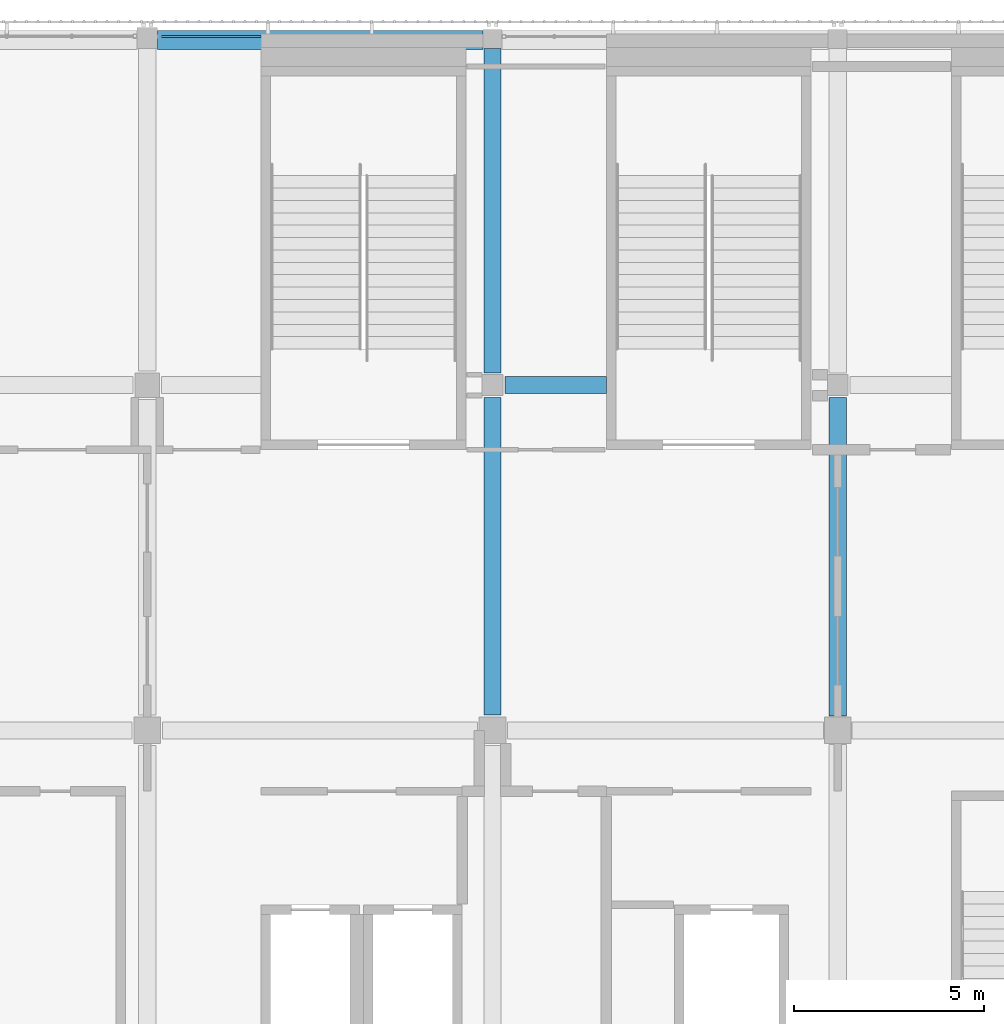
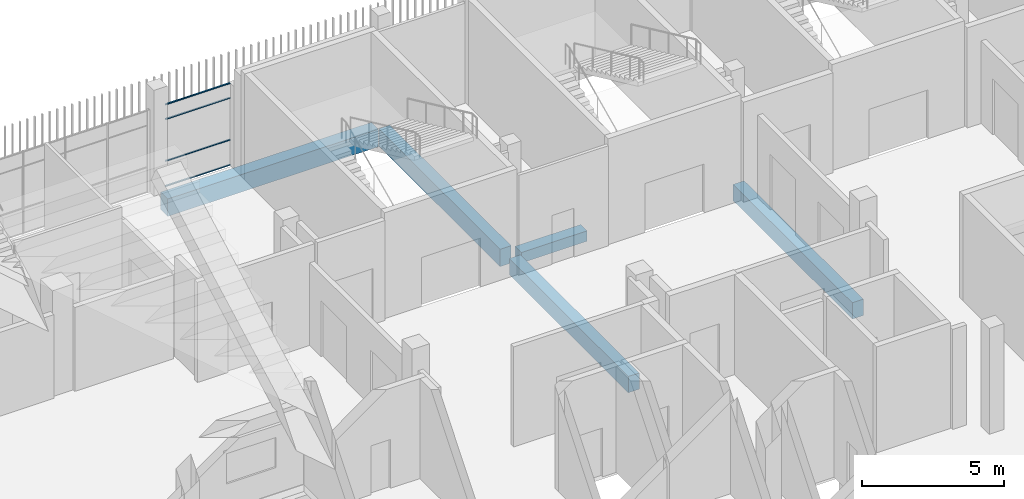
# One storey, part 52 of 139: 5 beams, 4 members, 1 element without a shape of its own.
"""IFC4 building model written with IfcOpenShell, lengths in metres."""

from ifc_helpers import new_model, si_unit, direction, frame, origin, origin_2d, place, context, subcontext, project, spatial, rectangle, hollow_rectangle, extrude, material, layer, layer_set, material_profile, profile_set, type_object, element, aggregate, save


model = new_model("IFC4")

# Units and contexts
model_context = context("Model", 3, precision=1e-05, world=origin(), true_north=direction((0.0, 1.0)))
body_context = subcontext(model_context, "Body", "Model", "MODEL_VIEW")
ifc_project = project(units=[si_unit("LENGTHUNIT", "METRE"), si_unit("AREAUNIT", "SQUARE_METRE"), si_unit("VOLUMEUNIT", "CUBIC_METRE"), si_unit("PLANEANGLEUNIT", "RADIAN"), si_unit("MASSUNIT", "GRAM", prefix="KILO")], contexts=[model_context])

# Site, building, storey
site_placement = place(None, origin())
site = spatial("IfcSite", under=ifc_project, at=site_placement, CompositionType="ELEMENT")
building_placement = place(site_placement, origin())
building = spatial("IfcBuilding", under=site, at=building_placement, Name="Shirokan Park Arena", CompositionType="ELEMENT")
storey_placement = place(building_placement, frame((0.0, 0.0, 15.469970703125)))
storey = spatial("IfcBuildingStorey", under=building, at=storey_placement, Name="L03", CompositionType="ELEMENT", Elevation=15.469970703125)

# Beams
ifc_material_1 = material(Name="Concrete C35", Category="concrete")
ifc_material_profile_1 = material_profile(ifc_material_1, rectangle(XDim=0.449951171875, YDim=0.699951171875, at=origin_2d()), Name="450x700")
ifc_profile_set_1 = profile_set([ifc_material_profile_1], Name="Concrete C35")
beam_type_1 = type_object("IfcBeamType", Name="RC girder 450x700", PredefinedType="BEAM", material=ifc_profile_set_1)
beam_1_placement = place(storey_placement, frame((118.300048828125, 91.400146484375, -0.64990234375), z_axis=(0.0, 1.0, 0.0), x_axis=(-1.0, 0.0, 0.0)))
element("IfcBeam", 1, at=beam_1_placement, inside=storey, type_object=beam_type_1, Name="Girder 14L-14M L03", PredefinedType="BEAM", context=body_context, shape_type="SweptSolid", body=[
    extrude(rectangle(XDim=0.449951171875, YDim=0.699951171875, at=origin_2d()), origin(), (0.0, 0.0, 1.0), 8.374755859375),
])
beam_2_placement = place(storey_placement, frame((127.39990234375, 91.375, -0.64990234375), z_axis=(0.0, 1.0, 0.0), x_axis=(-1.0, 0.0, 0.0)))
element("IfcBeam", 2, at=beam_2_placement, inside=storey, type_object=beam_type_1, Name="Girder 15L-15M L03", PredefinedType="BEAM", context=body_context, shape_type="SweptSolid", body=[
    extrude(rectangle(XDim=0.449951171875, YDim=0.699951171875, at=origin_2d()), origin(), (0.0, 0.0, 1.0), 8.39990234375),
])
ifc_material_profile_2 = material_profile(ifc_material_1, rectangle(XDim=0.449951171875, YDim=0.75, at=origin_2d()), Name="450x750")
ifc_profile_set_2 = profile_set([ifc_material_profile_2], Name="Concrete C35")
beam_type_2 = type_object("IfcBeamType", Name="RC girder 450x750", PredefinedType="BEAM", material=ifc_profile_set_2)
beam_3_placement = place(storey_placement, frame((118.300048828125, 100.425048828125, -0.675048828125), z_axis=(0.0, 1.0, 0.0), x_axis=(-1.0, 0.0, 0.0)))
element("IfcBeam", 3, at=beam_3_placement, inside=storey, type_object=beam_type_2, Name="Girder 14M-14N L03", PredefinedType="BEAM", context=body_context, shape_type="SweptSolid", body=[
    extrude(rectangle(XDim=0.449951171875, YDim=0.75, at=origin_2d()), origin(), (0.0, 0.0, 1.0), 8.5498046875),
])
ifc_material_profile_3 = material_profile(ifc_material_1, rectangle(XDim=0.5, YDim=0.75, at=origin_2d()), Name="500x750")
ifc_profile_set_3 = profile_set([ifc_material_profile_3], Name="Concrete C35")
beam_type_3 = type_object("IfcBeamType", Name="RC girder 500x750", PredefinedType="BEAM", material=ifc_profile_set_3)
beam_4_placement = place(storey_placement, frame((109.47509765625, 109.199951171875, -0.675048828125), z_axis=(1.0, 0.0, 0.0), x_axis=(0.0, 1.0, 0.0)))
element("IfcBeam", 4, at=beam_4_placement, inside=storey, type_object=beam_type_3, Name="Girder 13N-14N L03", PredefinedType="BEAM", context=body_context, shape_type="SweptSolid", body=[
    extrude(rectangle(XDim=0.5, YDim=0.75, at=origin_2d()), origin(), (0.0, 0.0, 1.0), 8.57470703125),
])
ifc_material_profile_4 = material_profile(ifc_material_1, rectangle(XDim=0.449951171875, YDim=0.449951171875, at=origin_2d()), Name="450x450")
ifc_profile_set_4 = profile_set([ifc_material_profile_4], Name="Concrete C35")
beam_type_4 = type_object("IfcBeamType", Name="RC trimmer 450x450", PredefinedType="BEAM", material=ifc_profile_set_4)
beam_5_placement = place(storey_placement, frame((118.625, 100.10009765625, -0.52490234375), z_axis=(1.0, 0.0, 0.0), x_axis=(0.0, 1.0, 0.0)))
element("IfcBeam", 5, at=beam_5_placement, inside=storey, type_object=beam_type_4, Name="Girder 14M-15M L03", PredefinedType="BEAM", context=body_context, shape_type="SweptSolid", body=[
    extrude(rectangle(XDim=0.449951171875, YDim=0.449951171875, at=origin_2d()), origin(), (0.0, 0.0, 1.0), 2.675048828125),
])

# Curtain wall, members
ifc_material_2 = material(Name="Steel and glass curtain wall", Category="steel")
ifc_layer = layer(ifc_material_2, 0.1201171875)
ifc_layer_set = layer_set([ifc_layer], Name="Steel and glass curtain wall 120 mm")
curtain_wall_type = type_object("IfcCurtainWallType", Name="Curtain wall corner block side bay 120", PredefinedType="NOTDEFINED", material=ifc_layer_set)
curtain_wall_placement = place(storey_placement, origin())
curtain_wall = element("IfcCurtainWall", 6, at=curtain_wall_placement, inside=storey, type_object=curtain_wall_type, Name="Curtain wall north bay 4 L03", PredefinedType="NOTDEFINED")
ifc_material_3 = material(Name="Steel S355", Category="steel")
ifc_material_profile_5 = material_profile(ifc_material_3, hollow_rectangle(XDim=0.06005859375, YDim=0.0400390625, WallThickness=0.00390625, at=origin_2d()), Name="RHS 60x40x4")
ifc_profile_set_5 = profile_set([ifc_material_profile_5], Name="Steel S355")
member_type = type_object("IfcMemberType", Name="Transom RHS 60x40x4", PredefinedType="MULLION", material=ifc_profile_set_5)
member_1_placement = place(storey_placement, frame((112.199951171875, 109.2900390625, 0.02001953125), z_axis=(-1.0, 0.0, 0.0), x_axis=(0.0, -1.0, 0.0)))
member_1 = element("IfcMember", 7, at=member_1_placement, type_object=member_type, Name="CW3 transom 1.1", PredefinedType="MULLION", context=body_context, shape_type="SweptSolid", body=[
    extrude(hollow_rectangle(XDim=0.06005859375, YDim=0.0400390625, WallThickness=0.00390625, at=origin_2d()), origin(), (0.0, 0.0, 1.0), 2.625),
])
member_2_placement = place(storey_placement, frame((112.199951171875, 109.2900390625, 1.10009765625), z_axis=(-1.0, 0.0, 0.0), x_axis=(0.0, -1.0, 0.0)))
member_2 = element("IfcMember", 8, at=member_2_placement, type_object=member_type, Name="CW3 transom 1.2", PredefinedType="MULLION", context=body_context, shape_type="SweptSolid", body=[
    extrude(hollow_rectangle(XDim=0.06005859375, YDim=0.0400390625, WallThickness=0.00390625, at=origin_2d()), origin(), (0.0, 0.0, 1.0), 2.625),
])
member_3_placement = place(storey_placement, frame((112.199951171875, 109.2900390625, 2.900146484375), z_axis=(-1.0, 0.0, 0.0), x_axis=(0.0, -1.0, 0.0)))
member_3 = element("IfcMember", 9, at=member_3_placement, type_object=member_type, Name="CW3 transom 1.3", PredefinedType="MULLION", context=body_context, shape_type="SweptSolid", body=[
    extrude(hollow_rectangle(XDim=0.06005859375, YDim=0.0400390625, WallThickness=0.00390625, at=origin_2d()), origin(), (0.0, 0.0, 1.0), 2.625),
])
member_4_placement = place(storey_placement, frame((112.199951171875, 109.2900390625, 3.530029296875), z_axis=(-1.0, 0.0, 0.0), x_axis=(0.0, -1.0, 0.0)))
member_4 = element("IfcMember", 10, at=member_4_placement, type_object=member_type, Name="CW3 transom 1.4", PredefinedType="MULLION", context=body_context, shape_type="SweptSolid", body=[
    extrude(hollow_rectangle(XDim=0.06005859375, YDim=0.0400390625, WallThickness=0.00390625, at=origin_2d()), origin(), (0.0, 0.0, 1.0), 2.625),
])
aggregate(curtain_wall, [member_1, member_2, member_3, member_4])

save(model, "model.ifc")
